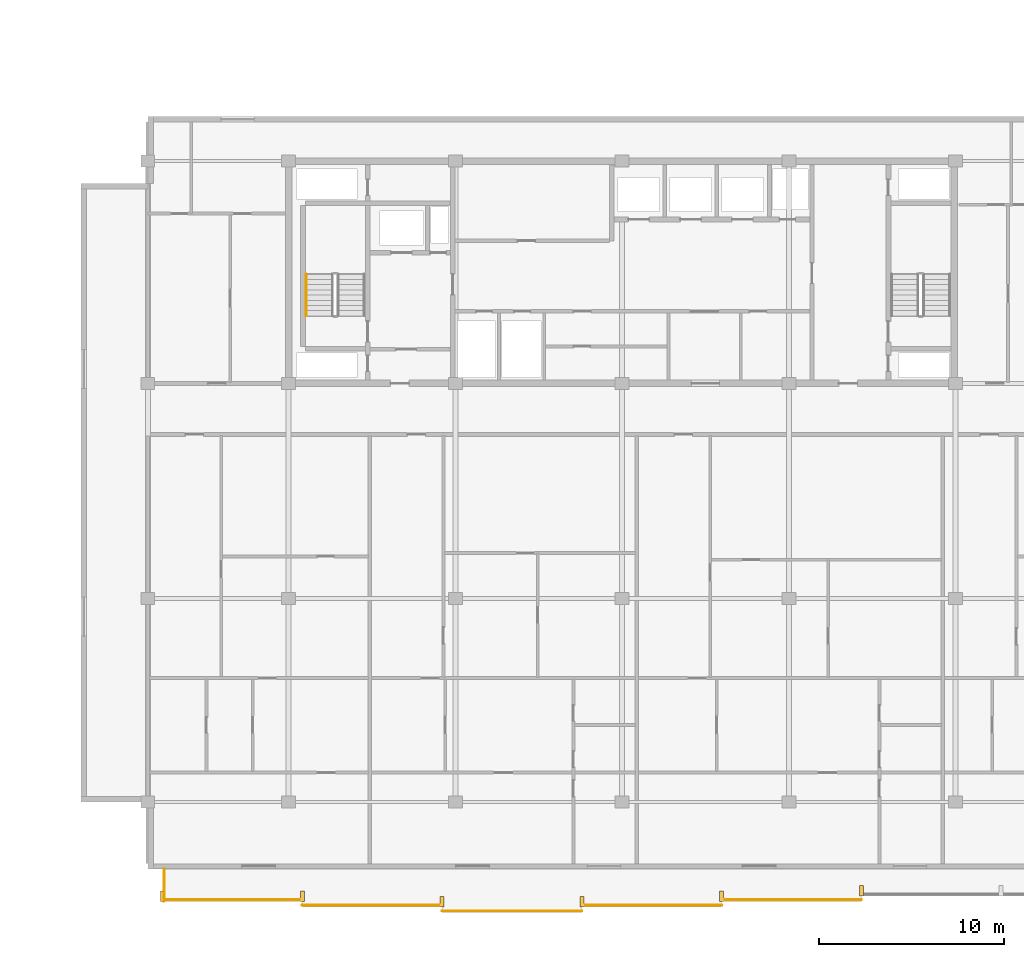
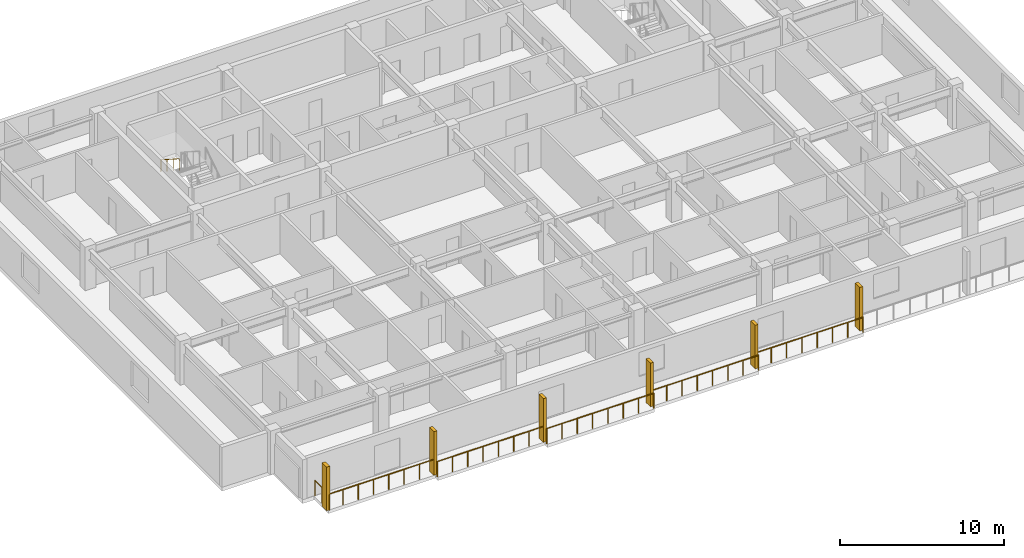
# One storey, part 18 of 22: 7 railings, 6 shading devices.
"""IFC4 building model written with IfcOpenShell, lengths in metres."""

from ifc_helpers import new_model, si_unit, direction, frame, origin, origin_2d, place, context, subcontext, project, spatial, rectangle, circle, extrude, material, type_object, element, save


model = new_model("IFC4")

# Units and contexts
model_context = context("Model", 3, precision=1e-05, world=origin(), true_north=direction((0.0, 1.0)))
body_context = subcontext(model_context, "Body", "Model", "MODEL_VIEW")
ifc_project = project(units=[si_unit("LENGTHUNIT", "METRE"), si_unit("AREAUNIT", "SQUARE_METRE"), si_unit("VOLUMEUNIT", "CUBIC_METRE"), si_unit("PLANEANGLEUNIT", "RADIAN"), si_unit("MASSUNIT", "GRAM", prefix="KILO")], contexts=[model_context])

# Site, building, storey
site_placement = place(None, origin())
site = spatial("IfcSite", under=ifc_project, at=site_placement, CompositionType="ELEMENT")
building_placement = place(site_placement, origin())
building = spatial("IfcBuilding", under=site, at=building_placement, Name="Korimba Cascade Residences", CompositionType="ELEMENT")
storey_placement = place(building_placement, frame((0.0, 0.0, 181.60009765625)))
storey = spatial("IfcBuildingStorey", under=building, at=storey_placement, Name="L52", CompositionType="ELEMENT", Elevation=181.60009765625)

# Railings
ifc_material_1 = material(Name="Laminated Glass and Bronze Balustrade", Category="glass")
railing_type_1 = type_object("IfcRailingType", Name="RLG-LOG-1150", PredefinedType="BALUSTRADE", material=ifc_material_1)
railing_1_placement = place(storey_placement, frame((75.300048828125, -9.469970703125, 0.0)))
element("IfcRailing", 1, at=railing_1_placement, inside=storey, type_object=railing_type_1, Name="L52 Perimeter Guardrail RLG-L52-T2-LOG-01", PredefinedType="BALUSTRADE", context=body_context, shape_type="SweptSolid", body=[
    extrude(circle(Radius=0.02392578125, at=origin_2d()), frame((0.0, 0.0, 1.1259765625), z_axis=(1.0, 0.0, 0.0), x_axis=(0.0, 1.0, 0.0)), (0.0, 0.0, 1.0), 7.54296875),
    extrude(circle(Radius=0.02099609375, at=origin_2d()), origin(), (0.0, 0.0, 1.0), 1.101806640625),
    extrude(circle(Radius=0.02099609375, at=origin_2d()), frame((1.07763671875, 0.0, 0.0)), (0.0, 0.0, 1.0), 1.101806640625),
    extrude(circle(Radius=0.02099609375, at=origin_2d()), frame((2.155029296875, 0.0, 0.0)), (0.0, 0.0, 1.0), 1.101806640625),
    extrude(circle(Radius=0.02099609375, at=origin_2d()), frame((3.232666015625, 0.0, 0.0)), (0.0, 0.0, 1.0), 1.101806640625),
    extrude(circle(Radius=0.02099609375, at=origin_2d()), frame((4.310302734375, 0.0, 0.0)), (0.0, 0.0, 1.0), 1.101806640625),
    extrude(circle(Radius=0.02099609375, at=origin_2d()), frame((5.387939453125, 0.0, 0.0)), (0.0, 0.0, 1.0), 1.101806640625),
    extrude(circle(Radius=0.02099609375, at=origin_2d()), frame((6.46533203125, 0.0, 0.0)), (0.0, 0.0, 1.0), 1.101806640625),
    extrude(circle(Radius=0.02099609375, at=origin_2d()), frame((7.54296875, 0.0, 0.0)), (0.0, 0.0, 1.0), 1.101806640625),
])
railing_2_placement = place(storey_placement, frame((82.843017578125, -9.77001953125, 0.0)))
element("IfcRailing", 2, at=railing_2_placement, inside=storey, type_object=railing_type_1, Name="L52 Perimeter Guardrail RLG-L52-T2-LOG-02", PredefinedType="BALUSTRADE", context=body_context, shape_type="SweptSolid", body=[
    extrude(circle(Radius=0.02392578125, at=origin_2d()), frame((0.0, 0.0, 1.1259765625), z_axis=(1.0, 0.0, 0.0), x_axis=(0.0, 1.0, 0.0)), (0.0, 0.0, 1.0), 7.542724609375),
    extrude(circle(Radius=0.02099609375, at=origin_2d()), origin(), (0.0, 0.0, 1.0), 1.101806640625),
    extrude(circle(Radius=0.02099609375, at=origin_2d()), frame((1.07763671875, 0.0, 0.0)), (0.0, 0.0, 1.0), 1.101806640625),
    extrude(circle(Radius=0.02099609375, at=origin_2d()), frame((2.155029296875, 0.0, 0.0)), (0.0, 0.0, 1.0), 1.101806640625),
    extrude(circle(Radius=0.02099609375, at=origin_2d()), frame((3.232666015625, 0.0, 0.0)), (0.0, 0.0, 1.0), 1.101806640625),
    extrude(circle(Radius=0.02099609375, at=origin_2d()), frame((4.31005859375, 0.0, 0.0)), (0.0, 0.0, 1.0), 1.101806640625),
    extrude(circle(Radius=0.02099609375, at=origin_2d()), frame((5.3876953125, 0.0, 0.0)), (0.0, 0.0, 1.0), 1.101806640625),
    extrude(circle(Radius=0.02099609375, at=origin_2d()), frame((6.465087890625, 0.0, 0.0)), (0.0, 0.0, 1.0), 1.101806640625),
    extrude(circle(Radius=0.02099609375, at=origin_2d()), frame((7.542724609375, 0.0, 0.0)), (0.0, 0.0, 1.0), 1.101806640625),
])
railing_3_placement = place(storey_placement, frame((90.3857421875, -10.070068359375, 0.0)))
element("IfcRailing", 3, at=railing_3_placement, inside=storey, type_object=railing_type_1, Name="L52 Perimeter Guardrail RLG-L52-T2-LOG-03", PredefinedType="BALUSTRADE", context=body_context, shape_type="SweptSolid", body=[
    extrude(circle(Radius=0.02392578125, at=origin_2d()), frame((0.0, 0.0, 1.1259765625), z_axis=(1.0, 0.0, 0.0), x_axis=(0.0, 1.0, 0.0)), (0.0, 0.0, 1.0), 7.54296875),
    extrude(circle(Radius=0.02099609375, at=origin_2d()), origin(), (0.0, 0.0, 1.0), 1.101806640625),
    extrude(circle(Radius=0.02099609375, at=origin_2d()), frame((1.07763671875, 0.0, 0.0)), (0.0, 0.0, 1.0), 1.101806640625),
    extrude(circle(Radius=0.02099609375, at=origin_2d()), frame((2.155029296875, 0.0, 0.0)), (0.0, 0.0, 1.0), 1.101806640625),
    extrude(circle(Radius=0.02099609375, at=origin_2d()), frame((3.232666015625, 0.0, 0.0)), (0.0, 0.0, 1.0), 1.101806640625),
    extrude(circle(Radius=0.02099609375, at=origin_2d()), frame((4.310302734375, 0.0, 0.0)), (0.0, 0.0, 1.0), 1.101806640625),
    extrude(circle(Radius=0.02099609375, at=origin_2d()), frame((5.387939453125, 0.0, 0.0)), (0.0, 0.0, 1.0), 1.101806640625),
    extrude(circle(Radius=0.02099609375, at=origin_2d()), frame((6.46533203125, 0.0, 0.0)), (0.0, 0.0, 1.0), 1.101806640625),
    extrude(circle(Radius=0.02099609375, at=origin_2d()), frame((7.54296875, 0.0, 0.0)), (0.0, 0.0, 1.0), 1.101806640625),
])
railing_4_placement = place(storey_placement, frame((97.9287109375, -9.77001953125, 0.0)))
element("IfcRailing", 4, at=railing_4_placement, inside=storey, type_object=railing_type_1, Name="L52 Perimeter Guardrail RLG-L52-T2-LOG-04", PredefinedType="BALUSTRADE", context=body_context, shape_type="SweptSolid", body=[
    extrude(circle(Radius=0.02392578125, at=origin_2d()), frame((0.0, 0.0, 1.1259765625), z_axis=(1.0, 0.0, 0.0), x_axis=(0.0, 1.0, 0.0)), (0.0, 0.0, 1.0), 7.542724609375),
    extrude(circle(Radius=0.02099609375, at=origin_2d()), origin(), (0.0, 0.0, 1.0), 1.101806640625),
    extrude(circle(Radius=0.02099609375, at=origin_2d()), frame((1.07763671875, 0.0, 0.0)), (0.0, 0.0, 1.0), 1.101806640625),
    extrude(circle(Radius=0.02099609375, at=origin_2d()), frame((2.155029296875, 0.0, 0.0)), (0.0, 0.0, 1.0), 1.101806640625),
    extrude(circle(Radius=0.02099609375, at=origin_2d()), frame((3.232666015625, 0.0, 0.0)), (0.0, 0.0, 1.0), 1.101806640625),
    extrude(circle(Radius=0.02099609375, at=origin_2d()), frame((4.31005859375, 0.0, 0.0)), (0.0, 0.0, 1.0), 1.101806640625),
    extrude(circle(Radius=0.02099609375, at=origin_2d()), frame((5.3876953125, 0.0, 0.0)), (0.0, 0.0, 1.0), 1.101806640625),
    extrude(circle(Radius=0.02099609375, at=origin_2d()), frame((6.465087890625, 0.0, 0.0)), (0.0, 0.0, 1.0), 1.101806640625),
    extrude(circle(Radius=0.02099609375, at=origin_2d()), frame((7.542724609375, 0.0, 0.0)), (0.0, 0.0, 1.0), 1.101806640625),
])
railing_5_placement = place(storey_placement, frame((105.471435546875, -9.469970703125, 0.0)))
element("IfcRailing", 5, at=railing_5_placement, inside=storey, type_object=railing_type_1, Name="L52 Perimeter Guardrail RLG-L52-T2-LOG-05", PredefinedType="BALUSTRADE", context=body_context, shape_type="SweptSolid", body=[
    extrude(circle(Radius=0.02392578125, at=origin_2d()), frame((0.0, 0.0, 1.1259765625), z_axis=(1.0, 0.0, 0.0), x_axis=(0.0, 1.0, 0.0)), (0.0, 0.0, 1.0), 7.54296875),
    extrude(circle(Radius=0.02099609375, at=origin_2d()), origin(), (0.0, 0.0, 1.0), 1.101806640625),
    extrude(circle(Radius=0.02099609375, at=origin_2d()), frame((1.07763671875, 0.0, 0.0)), (0.0, 0.0, 1.0), 1.101806640625),
    extrude(circle(Radius=0.02099609375, at=origin_2d()), frame((2.155029296875, 0.0, 0.0)), (0.0, 0.0, 1.0), 1.101806640625),
    extrude(circle(Radius=0.02099609375, at=origin_2d()), frame((3.232666015625, 0.0, 0.0)), (0.0, 0.0, 1.0), 1.101806640625),
    extrude(circle(Radius=0.02099609375, at=origin_2d()), frame((4.310302734375, 0.0, 0.0)), (0.0, 0.0, 1.0), 1.101806640625),
    extrude(circle(Radius=0.02099609375, at=origin_2d()), frame((5.387939453125, 0.0, 0.0)), (0.0, 0.0, 1.0), 1.101806640625),
    extrude(circle(Radius=0.02099609375, at=origin_2d()), frame((6.46533203125, 0.0, 0.0)), (0.0, 0.0, 1.0), 1.101806640625),
    extrude(circle(Radius=0.02099609375, at=origin_2d()), frame((7.54296875, 0.0, 0.0)), (0.0, 0.0, 1.0), 1.101806640625),
])
railing_6_placement = place(storey_placement, frame((75.3798828125, -7.800048828125, 0.0)))
element("IfcRailing", 6, at=railing_6_placement, inside=storey, type_object=railing_type_1, Name="L52 Perimeter Guardrail RLG-L52-T2-LOG-08", PredefinedType="BALUSTRADE", context=body_context, shape_type="SweptSolid", body=[
    extrude(circle(Radius=0.02392578125, at=origin_2d()), frame((0.0, 0.0, 1.1259765625), z_axis=(0.0, -1.0, 0.0), x_axis=(1.0, 0.0, 0.0)), (0.0, 0.0, 1.0), 1.75),
    extrude(circle(Radius=0.02099609375, at=origin_2d()), origin(), (0.0, 0.0, 1.0), 1.101806640625),
    extrude(circle(Radius=0.02099609375, at=origin_2d()), frame((0.0, -0.875, 0.0)), (0.0, 0.0, 1.0), 1.101806640625),
    extrude(circle(Radius=0.02099609375, at=origin_2d()), frame((0.0, -1.75, 0.0)), (0.0, 0.0, 1.0), 1.101806640625),
])
ifc_material_2 = material(Name="Brushed Stainless Steel Handrail", Category="steel")
railing_type_2 = type_object("IfcRailingType", Name="RLG-ST-HR900", PredefinedType="HANDRAIL", material=ifc_material_2)
railing_7_placement = place(storey_placement, frame((83.050048828125, 24.2900390625, 1.98974609375)))
element("IfcRailing", 7, at=railing_7_placement, inside=storey, type_object=railing_type_2, Name="L52 ST-E1 stair handrail 2", PredefinedType="HANDRAIL", context=body_context, shape_type="SweptSolid", body=[
    extrude(circle(Radius=0.02392578125, at=origin_2d()), frame((0.0, 0.0, 0.8759765625), z_axis=(0.0, -0.840394893359, 0.541974559565), x_axis=(1.0, 0.0, 0.0)), (0.0, 0.0, 1.0), 2.665283203125),
    extrude(circle(Radius=0.02099609375, at=origin_2d()), origin(), (0.0, 0.0, 1.0), 0.851806640625),
    extrude(circle(Radius=0.02099609375, at=origin_2d()), frame((0.0, -0.74658203125, 0.4814453125)), (0.0, 0.0, 1.0), 0.851806640625),
    extrude(circle(Radius=0.02099609375, at=origin_2d()), frame((0.0, -1.493408203125, 0.963134765625)), (0.0, 0.0, 1.0), 0.851806640625),
    extrude(circle(Radius=0.02099609375, at=origin_2d()), frame((0.0, -2.239990234375, 1.444580078125)), (0.0, 0.0, 1.0), 0.851806640625),
])

# Shading devices
ifc_material_3 = material(Name="Honed Sandstone Precast Fin", Category="masonry")
shading_device_type = type_object("IfcShadingDeviceType", Name="SHD-FIN-550", PredefinedType="USERDEFINED", material=ifc_material_3)
for number, where, z_axis, x_axis, name in (
    (8, (75.300048828125, -9.27490234375, 0.0), (0.0, 0.0, 1.0), (1.0, 0.0, 0.0), "L52 T2 Warm-Stone Loggia Fin 1"),
    (9, (82.843017578125, -9.27490234375, 0.0), (0.0, 0.0, 1.0), (1.0, 0.0, 0.0), "L52 T2 Warm-Stone Loggia Fin 2"),
    (10, (90.3857421875, -9.574951171875, 0.0), (0.0, 0.0, 1.0), (1.0, 0.0, 0.0), "L52 T2 Warm-Stone Loggia Fin 3"),
    (11, (97.9287109375, -9.574951171875, 0.0), (0.0, 0.0, 1.0), (1.0, 0.0, 0.0), "L52 T2 Warm-Stone Loggia Fin 4"),
    (12, (105.471435546875, -9.27490234375, 0.0), (0.0, 0.0, 1.0), (1.0, 0.0, 0.0), "L52 T2 Warm-Stone Loggia Fin 5"),
    (13, (113.014404296875, -8.97509765625, 0.0), (0.0, 0.0, 1.0), (1.0, 0.0, 0.0), "L52 T2 Warm-Stone Loggia Fin 6"),
):
    element("IfcShadingDevice", number, at=place(storey_placement, frame(where, z_axis=z_axis, x_axis=x_axis)), inside=storey, type_object=shading_device_type, Name=name, ObjectType="FIN", PredefinedType="USERDEFINED", context=body_context, shape_type="SweptSolid", body=[
        extrude(rectangle(XDim=0.219970703125, YDim=0.550048828125, at=origin_2d()), origin(), (0.0, 0.0, 1.0), 3.25),
    ])

save(model, "model.ifc")
